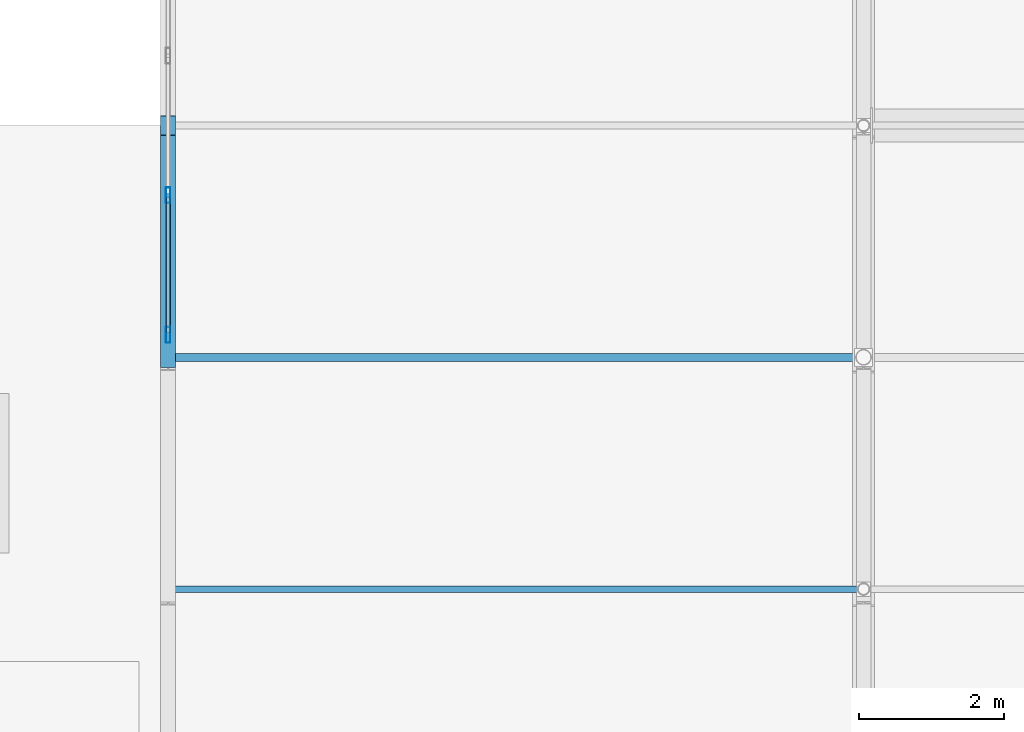
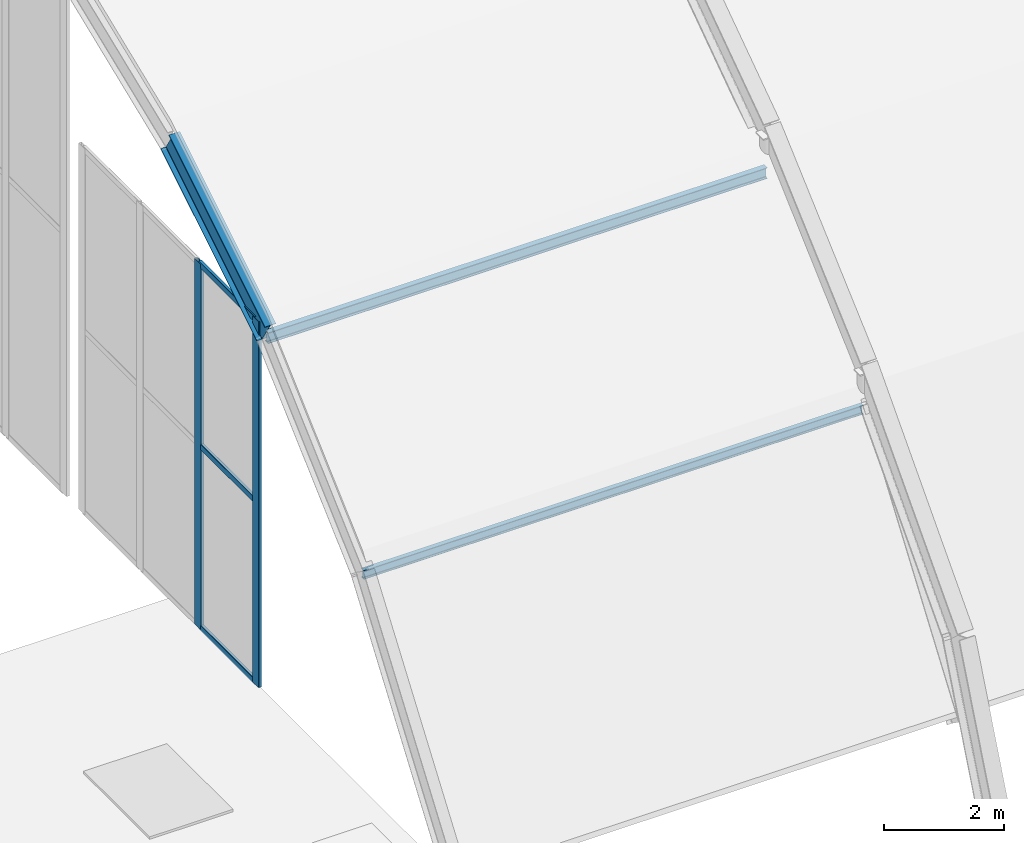
# One storey, part 39 of 126: 7 members, 1 beam, 1 element without a shape of its own.
"""IFC4 building model written with IfcOpenShell, lengths in metres."""

from ifc_helpers import new_model, si_unit, direction, frame, origin, origin_2d, place, context, subcontext, project, spatial, hollow_rectangle, i_section, extrude, material, material_profile, profile_set, type_object, element, aggregate, save


model = new_model("IFC4")

# Units and contexts
model_context = context("Model", 3, precision=1e-05, world=origin(), true_north=direction((0.0, 1.0)))
body_context = subcontext(model_context, "Body", "Model", "MODEL_VIEW")
ifc_project = project(units=[si_unit("LENGTHUNIT", "METRE"), si_unit("AREAUNIT", "SQUARE_METRE"), si_unit("VOLUMEUNIT", "CUBIC_METRE"), si_unit("PLANEANGLEUNIT", "RADIAN"), si_unit("MASSUNIT", "GRAM", prefix="KILO")], contexts=[model_context])

# Site, building, storey
site_placement = place(None, origin())
site = spatial("IfcSite", under=ifc_project, at=site_placement, CompositionType="ELEMENT")
building_placement = place(site_placement, origin())
building = spatial("IfcBuilding", under=site, at=building_placement, Name="Coralgate Yard Interchange", CompositionType="ELEMENT")
storey_placement = place(building_placement, frame((0.0, 0.0, 10.5)))
storey = spatial("IfcBuildingStorey", under=building, at=storey_placement, Name="L02", CompositionType="ELEMENT", Elevation=10.5)

# Beam
ifc_material_1 = material(Name="Weather-coated structural steel S355J2", Category="steel")
ifc_material_profile_1 = material_profile(ifc_material_1, i_section(OverallWidth=0.209228515625, OverallDepth=0.533203125, WebThickness=0.010009765625, FlangeThickness=0.015625, FilletRadius=0.0126953125, at=origin_2d()), Name="UB 533x210x92")
ifc_profile_set_1 = profile_set([ifc_material_profile_1], Name="Weather-coated structural steel S355J2")
beam_type = type_object("IfcBeamType", Name="BM-VR-1", PredefinedType="BEAM", material=ifc_profile_set_1)
beam_placement = place(storey_placement, frame((38.39990234375, 44.800048828125, 7.332763671875), z_axis=(0.0, 0.852378727212, 0.522924951973), x_axis=(-1.0, 0.0, 0.0)))
element("IfcBeam", 1, at=beam_placement, inside=storey, type_object=beam_type, Name="Barrel-vault gridshell rib 1 seg 3", PredefinedType="BEAM", context=body_context, shape_type="SweptSolid", body=[
    extrude(i_section(OverallWidth=0.209228515625, OverallDepth=0.533203125, WebThickness=0.010009765625, FlangeThickness=0.015625, FilletRadius=0.0126953125, at=origin_2d()), origin(), (0.0, 0.0, 1.0), 3.754150390625),
])

# Curtain wall, members
ifc_material_2 = material(Name="Anodised coastal aluminium and solar-control low-E glass", Category="aluminium")
curtain_wall_type = type_object("IfcCurtainWallType", Name="CW-CW-VLT-2", PredefinedType="NOTDEFINED", material=ifc_material_2)
curtain_wall_placement = place(storey_placement, origin())
curtain_wall = element("IfcCurtainWall", 2, at=curtain_wall_placement, inside=storey, type_object=curtain_wall_type, Name="L02 unitised curtain wall CW-VAULT-W-2", PredefinedType="NOTDEFINED")
ifc_material_3 = material(Name="Anodised coastal aluminium 6063-T6", Category="aluminium")
ifc_material_profile_2 = material_profile(ifc_material_3, hollow_rectangle(XDim=0.06005859375, YDim=0.219970703125, WallThickness=0.00390625, InnerFilletRadius=0.00390625, OuterFilletRadius=0.008056640625, at=origin_2d()), Name="ALU 60x220x4")
ifc_profile_set_2 = profile_set([ifc_material_profile_2], Name="Anodised coastal aluminium 6063-T6")
member_type_1 = type_object("IfcMemberType", Name="MB-MUL-220", PredefinedType="MULLION", material=ifc_profile_set_2)
member_1_placement = place(storey_placement, frame((38.39990234375, 45.110107421875, 0.0), z_axis=(0.0, 0.0, 1.0), x_axis=(1.0, 0.0, 0.0)))
member_1 = element("IfcMember", 3, at=member_1_placement, type_object=member_type_1, Name="CW-VAULT-W-2 vertical mullion 1", PredefinedType="MULLION", context=body_context, shape_type="SweptSolid", body=[
    extrude(hollow_rectangle(XDim=0.06005859375, YDim=0.219970703125, WallThickness=0.00390625, InnerFilletRadius=0.00390625, OuterFilletRadius=0.008056640625, at=origin_2d()), origin(), (0.0, 0.0, 1.0), 7.431884765625),
])
member_2_placement = place(storey_placement, frame((38.39990234375, 47.03662109375, 0.0), z_axis=(0.0, 0.0, 1.0), x_axis=(1.0, 0.0, 0.0)))
member_2 = element("IfcMember", 4, at=member_2_placement, type_object=member_type_1, Name="CW-VAULT-W-2 vertical mullion 2", PredefinedType="MULLION", context=body_context, shape_type="SweptSolid", body=[
    extrude(hollow_rectangle(XDim=0.06005859375, YDim=0.219970703125, WallThickness=0.00390625, InnerFilletRadius=0.00390625, OuterFilletRadius=0.008056640625, at=origin_2d()), origin(), (0.0, 0.0, 1.0), 7.431884765625),
])

# Members
ifc_material_profile_3 = material_profile(ifc_material_1, i_section(OverallWidth=0.110107421875, OverallDepth=0.219970703125, WebThickness=0.005859375, FlangeThickness=0.00927734375, FilletRadius=0.011962890625, at=origin_2d()), Name="IPE 220")
ifc_profile_set_3 = profile_set([ifc_material_profile_3], Name="Weather-coated structural steel S355J2")
member_type_2 = type_object("IfcMemberType", Name="MB-PR-1", PredefinedType="PURLIN", material=ifc_profile_set_3)
member_3_placement = place(storey_placement, frame((38.402099609375, 44.800048828125, 7.2392578125), z_axis=(1.0, 0.0, 0.0), x_axis=(0.0, 1.0, 0.0)))
element("IfcMember", 5, at=member_3_placement, inside=storey, type_object=member_type_2, Name="Barrel-vault gridshell purlin 1-3", PredefinedType="PURLIN", context=body_context, shape_type="SweptSolid", body=[
    extrude(i_section(OverallWidth=0.110107421875, OverallDepth=0.219970703125, WebThickness=0.005859375, FlangeThickness=0.00927734375, FilletRadius=0.011962890625, at=origin_2d()), origin(), (0.0, 0.0, 1.0), 9.595947265625),
])
ifc_material_4 = material(Name="Off-white architectural structural steel S355J2", Category="steel")
ifc_material_profile_4 = material_profile(ifc_material_4, i_section(OverallWidth=0.091064453125, OverallDepth=0.179931640625, WebThickness=0.00537109375, FlangeThickness=0.008056640625, FilletRadius=0.009033203125, at=origin_2d()), Name="IPE 180")
ifc_profile_set_4 = profile_set([ifc_material_profile_4], Name="Off-white architectural structural steel S355J2")
member_type_3 = type_object("IfcMemberType", Name="MB-PR-2", PredefinedType="PURLIN", material=ifc_profile_set_4)
member_4_placement = place(storey_placement, frame((38.402099609375, 41.60009765625, 4.3662109375), z_axis=(1.0, 0.0, 0.0), x_axis=(0.0, 1.0, 0.0)))
element("IfcMember", 6, at=member_4_placement, inside=storey, type_object=member_type_3, Name="Barrel-vault gridshell purlin 1-2", PredefinedType="PURLIN", context=body_context, shape_type="SweptSolid", body=[
    extrude(i_section(OverallWidth=0.091064453125, OverallDepth=0.179931640625, WebThickness=0.00537109375, FlangeThickness=0.008056640625, FilletRadius=0.009033203125, at=origin_2d()), origin(), (0.0, 0.0, 1.0), 9.595947265625),
])

# Member
ifc_material_profile_5 = material_profile(ifc_material_3, hollow_rectangle(XDim=0.06005859375, YDim=0.1201171875, WallThickness=0.00341796875, InnerFilletRadius=0.00341796875, OuterFilletRadius=0.007080078125, at=origin_2d()), Name="ALU 60x120x3.5")
ifc_profile_set_5 = profile_set([ifc_material_profile_5], Name="Anodised coastal aluminium 6063-T6")
member_type_4 = type_object("IfcMemberType", Name="MB-TRN-120", PredefinedType="USERDEFINED", material=ifc_profile_set_5)
member_5_placement = place(storey_placement, frame((38.39990234375, 45.139892578125, 0.034912109375), z_axis=(0.0, 1.0, 0.0), x_axis=(-1.0, 0.0, 0.0)))
member_5 = element("IfcMember", 7, at=member_5_placement, type_object=member_type_4, Name="CW-VAULT-W-2 horizontal transom 1-1", ObjectType="TRANSOM", PredefinedType="USERDEFINED", context=body_context, shape_type="SweptSolid", body=[
    extrude(hollow_rectangle(XDim=0.06005859375, YDim=0.1201171875, WallThickness=0.00341796875, InnerFilletRadius=0.00341796875, OuterFilletRadius=0.007080078125, at=origin_2d()), origin(), (0.0, 0.0, 1.0), 1.86669921875),
])

member_6_placement = place(storey_placement, frame((38.39990234375, 45.139892578125, 3.716064453125), z_axis=(0.0, 1.0, 0.0), x_axis=(-1.0, 0.0, 0.0)))
member_6 = element("IfcMember", 8, at=member_6_placement, type_object=member_type_4, Name="CW-VAULT-W-2 horizontal transom 1-2", ObjectType="TRANSOM", PredefinedType="USERDEFINED", context=body_context, shape_type="SweptSolid", body=[
    extrude(hollow_rectangle(XDim=0.06005859375, YDim=0.1201171875, WallThickness=0.00341796875, InnerFilletRadius=0.00341796875, OuterFilletRadius=0.007080078125, at=origin_2d()), origin(), (0.0, 0.0, 1.0), 1.86669921875),
])

member_7_placement = place(storey_placement, frame((38.39990234375, 45.139892578125, 7.39697265625), z_axis=(0.0, 1.0, 0.0), x_axis=(-1.0, 0.0, 0.0)))
member_7 = element("IfcMember", 9, at=member_7_placement, type_object=member_type_4, Name="CW-VAULT-W-2 horizontal transom 1-3", ObjectType="TRANSOM", PredefinedType="USERDEFINED", context=body_context, shape_type="SweptSolid", body=[
    extrude(hollow_rectangle(XDim=0.06005859375, YDim=0.1201171875, WallThickness=0.00341796875, InnerFilletRadius=0.00341796875, OuterFilletRadius=0.007080078125, at=origin_2d()), origin(), (0.0, 0.0, 1.0), 1.86669921875),
])

aggregate(curtain_wall, [member_1, member_2, member_5, member_6, member_7])

save(model, "model.ifc")
